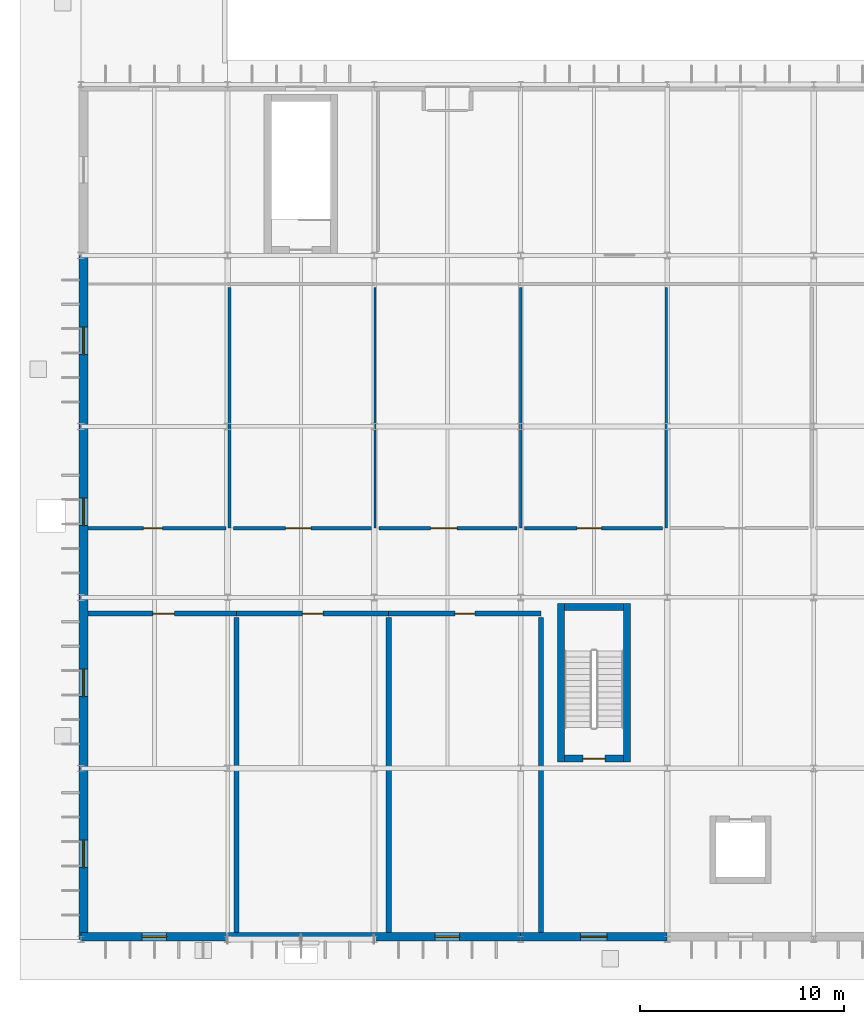
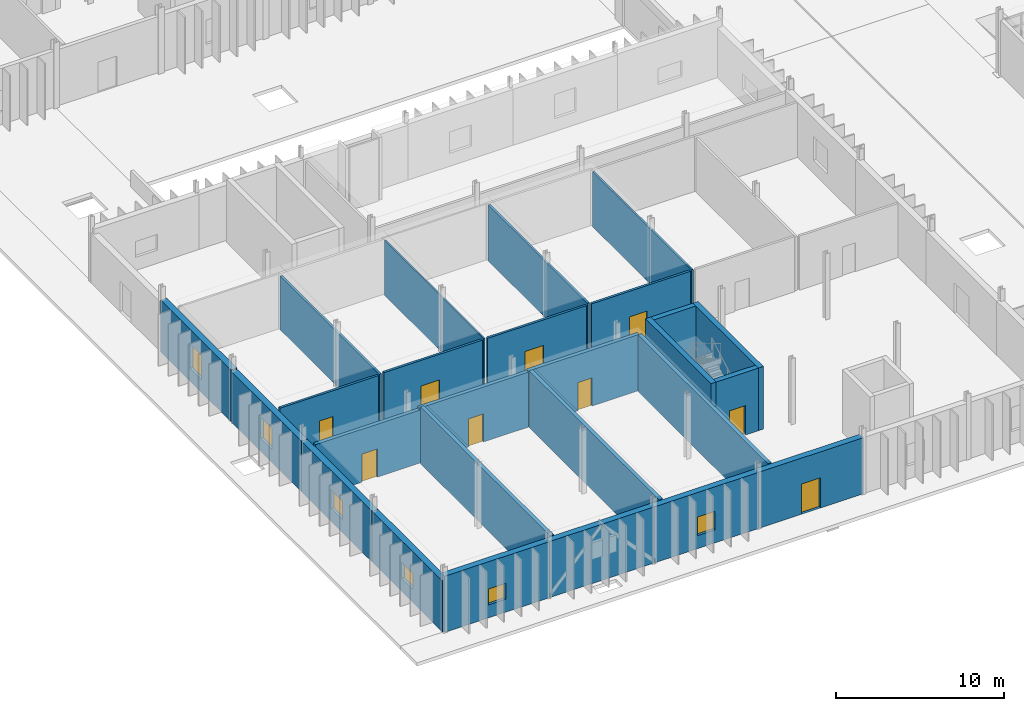
# One storey, part 88 of 118: 26 walls, 9 doors, 6 windows, 15 openings.
"""IFC4 building model written with IfcOpenShell, lengths in metres."""

from ifc_helpers import new_model, si_unit, direction, frame, frame_2d, origin, place, context, subcontext, project, spatial, rectangle, extrude, material, layer, layer_set, type_object, element, fill, save


model = new_model("IFC4")

# Units and contexts
model_context = context("Model", 3, precision=1e-05, world=origin(), true_north=direction((0.0, 1.0)))
body_context = subcontext(model_context, "Body", "Model", "MODEL_VIEW")
ifc_project = project(units=[si_unit("LENGTHUNIT", "METRE"), si_unit("AREAUNIT", "SQUARE_METRE"), si_unit("VOLUMEUNIT", "CUBIC_METRE"), si_unit("PLANEANGLEUNIT", "RADIAN"), si_unit("MASSUNIT", "GRAM", prefix="KILO")], contexts=[model_context])

# Site, building, storey
site_placement = place(None, origin())
site = spatial("IfcSite", under=ifc_project, at=site_placement, CompositionType="ELEMENT")
building_placement = place(site_placement, origin())
building = spatial("IfcBuilding", under=site, at=building_placement, Name="Qelthora Terrace Specialist Clinic", CompositionType="ELEMENT")
storey_placement = place(building_placement, origin())
storey = spatial("IfcBuildingStorey", under=building, at=storey_placement, Name="L00", CompositionType="ELEMENT", Elevation=0.0)

# Walls
ifc_material_1 = material(Name="Concrete C40/50", Category="concrete")
ifc_layer_1 = layer(ifc_material_1, 0.35009765625)
ifc_layer_set_1 = layer_set([ifc_layer_1], Name="Concrete C40/50")
wall_type_1 = type_object("IfcWallType", Name="WAL-CORE-350-C40", PredefinedType="SHEAR", material=ifc_layer_set_1)
for number, where, z_axis, x_axis, name in (
    (1, (23.574951171875, 8.699951171875, 0.0), (0.0, 0.0, 1.0), (0.0, 1.0, 0.0), "ST-03 L00 west shear core wall"),
    (2, (26.824951171875, 8.699951171875, 0.0), (0.0, 0.0, 1.0), (0.0, 1.0, 0.0), "ST-03 L00 east shear core wall"),
):
    element("IfcWall", number, at=place(storey_placement, frame(where, z_axis=z_axis, x_axis=x_axis)), inside=storey, type_object=wall_type_1, Name=name, PredefinedType="SHEAR", context=body_context, shape_type="SweptSolid", body=[
        extrude(rectangle(XDim=7.800048828125, YDim=0.35009765625, at=frame_2d((3.89990234375, 0.0))), origin(), (0.0, 0.0, 1.0), 4.56005859375),
    ])
wall_1_placement = place(storey_placement, frame((23.75, 16.324951171875, 0.0), z_axis=(0.0, 0.0, 1.0), x_axis=(1.0, 0.0, 0.0)))
element("IfcWall", 3, at=wall_1_placement, inside=storey, type_object=wall_type_1, Name="ST-03 L00 north shear core wall", PredefinedType="SHEAR", context=body_context, shape_type="SweptSolid", body=[
    extrude(rectangle(XDim=2.89990234375, YDim=0.35009765625, at=frame_2d((1.449951171875, 0.0))), origin(), (0.0, 0.0, 1.0), 4.56005859375),
])

# Wall, opening, door
wall_2_placement = place(storey_placement, frame((23.75, 8.875, 0.0), z_axis=(0.0, 0.0, 1.0), x_axis=(1.0, 0.0, 0.0)))
wall_2 = element("IfcWall", 4, at=wall_2_placement, inside=storey, type_object=wall_type_1, Name="ST-03 L00 south shear core wall", PredefinedType="SHEAR", context=body_context, shape_type="SweptSolid", body=[
    extrude(rectangle(XDim=2.89990234375, YDim=0.35009765625, at=frame_2d((1.449951171875, 0.0))), origin(), (0.0, 0.0, 1.0), 4.56005859375),
])
opening_1_placement = place(wall_2_placement, frame((0.89990234375, 0.0, 0.0)))
opening_1 = element("IfcOpeningElement", 5, at=opening_1_placement, cuts=wall_2, Name="Opening D-ST-03-L00", PredefinedType="OPENING", context=body_context, shape_type="SweptSolid", body=[
    extrude(rectangle(XDim=1.10009765625, YDim=2.14990234375, at=frame_2d((0.550048828125, 1.074951171875))), frame((0.0, 0.18505859375, 0.0), z_axis=(0.0, -1.0, 0.0), x_axis=(1.0, 0.0, 0.0)), (0.0, 0.0, 1.0), 0.3701171875),
])
ifc_material_2 = material(Name="Steel S355", Category="steel")
door_type_1 = type_object("IfcDoorType", Name="DOR-STAIR-1100X2150", OperationType="NOTDEFINED", PredefinedType="DOOR", material=ifc_material_2)
door_1_placement = place(opening_1_placement, frame((1.10009765625, 0.0, 0.0), z_axis=(0.0, 0.0, 1.0), x_axis=(-1.0, 0.0, 0.0)))
door_1 = element("IfcDoor", 6, at=door_1_placement, inside=storey, type_object=door_type_1, Name="Stair fire door D-ST-03-L00", OperationType="SINGLE_SWING_LEFT", OverallHeight=2.14990234375, OverallWidth=1.10009765625, PredefinedType="DOOR", context=body_context, shape_type="SweptSolid", body=[
    extrude(rectangle(XDim=1.10009765625, YDim=2.14990234375, at=frame_2d((0.550048828125, 1.074951171875))), frame((0.0, 0.02490234375, 0.0), z_axis=(0.0, -1.0, 0.0), x_axis=(1.0, 0.0, 0.0)), (0.0, 0.0, 1.0), 0.050048828125),
])
fill(opening_1, door_1)

# Wall
ifc_material_3 = material(Name="Gypsum acoustic wallboard", Category="gypsum")
ifc_layer_2 = layer(ifc_material_3, 0.139892578125)
ifc_layer_set_2 = layer_set([ifc_layer_2], Name="Gypsum acoustic wallboard")
wall_type_2 = type_object("IfcWallType", Name="WAL-INT-ACU-140", PredefinedType="PARTITIONING", material=ifc_layer_set_2)
wall_3_placement = place(storey_placement, frame((21.60009765625, 32.02001953125, 0.0), z_axis=(0.0, 0.0, 1.0), x_axis=(0.0, -1.0, 0.0)))
element("IfcWall", 7, at=wall_3_placement, inside=storey, type_object=wall_type_2, Name="Interior clinical partition IWAL-L00-0054", PredefinedType="PARTITIONING", context=body_context, shape_type="SweptSolid", body=[
    extrude(rectangle(XDim=11.820068359375, YDim=0.139892578125, at=frame_2d((5.91015625, 0.0))), origin(), (0.0, 0.0, 1.0), 4.0849609375),
])

# Wall, opening, door
ifc_material_4 = material(Name="Gypsum fire-rated wallboard", Category="gypsum")
ifc_layer_3 = layer(ifc_material_4, 0.159912109375)
ifc_layer_set_3 = layer_set([ifc_layer_3], Name="Gypsum fire-rated wallboard")
wall_type_3 = type_object("IfcWallType", Name="WAL-INT-COR-160", PredefinedType="PARTITIONING", material=ifc_layer_set_3)
wall_4_placement = place(storey_placement, frame((7.1201171875, 20.199951171875, 0.0), z_axis=(0.0, 0.0, 1.0), x_axis=(-1.0, 0.0, 0.0)))
wall_4 = element("IfcWall", 8, at=wall_4_placement, inside=storey, type_object=wall_type_3, Name="Interior clinical partition IWAL-L00-0049", PredefinedType="PARTITIONING", context=body_context, shape_type="SweptSolid", body=[
    extrude(rectangle(XDim=6.780029296875, YDim=0.159912109375, at=frame_2d((3.39013671875, 0.0))), origin(), (0.0, 0.0, 1.0), 3.927978515625),
])
opening_2_placement = place(wall_4_placement, frame((3.1201171875, 0.0, 0.0)))
opening_2 = element("IfcOpeningElement", 9, at=opening_2_placement, cuts=wall_4, Name="Opening DI-L00-0020", PredefinedType="OPENING", context=body_context, shape_type="SweptSolid", body=[
    extrude(rectangle(XDim=0.93994140625, YDim=2.050048828125, at=frame_2d((0.469970703125, 1.02490234375))), frame((0.0, 0.08984375, 0.0), z_axis=(0.0, -1.0, 0.0), x_axis=(1.0, 0.0, 0.0)), (0.0, 0.0, 1.0), 0.179931640625),
])
ifc_material_5 = material(Name="Glulam timber GL28h", Category="wood")
door_type_2 = type_object("IfcDoorType", Name="DOR-CON-940X2050", OperationType="NOTDEFINED", PredefinedType="DOOR", material=ifc_material_5)
door_2_placement = place(opening_2_placement, frame((0.93994140625, 0.0, 0.0), z_axis=(0.0, 0.0, 1.0), x_axis=(-1.0, 0.0, 0.0)))
door_2 = element("IfcDoor", 10, at=door_2_placement, inside=storey, type_object=door_type_2, Name="Interior clinical door DI-L00-0020", OperationType="SINGLE_SWING_LEFT", OverallHeight=2.050048828125, OverallWidth=0.93994140625, PredefinedType="DOOR", context=body_context, shape_type="SweptSolid", body=[
    extrude(rectangle(XDim=0.93994140625, YDim=2.050048828125, at=frame_2d((0.469970703125, 1.02490234375))), frame((0.0, 0.02490234375, 0.0), z_axis=(0.0, -1.0, 0.0), x_axis=(1.0, 0.0, 0.0)), (0.0, 0.0, 1.0), 0.050048828125),
])
fill(opening_2, door_2)

wall_5_placement = place(storey_placement, frame((14.27001953125, 20.199951171875, 0.0), z_axis=(0.0, 0.0, 1.0), x_axis=(-1.0, 0.0, 0.0)))
wall_5 = element("IfcWall", 11, at=wall_5_placement, inside=storey, type_object=wall_type_3, Name="Interior clinical partition IWAL-L00-0052", PredefinedType="PARTITIONING", context=body_context, shape_type="SweptSolid", body=[
    extrude(rectangle(XDim=6.7900390625, YDim=0.159912109375, at=frame_2d((3.39501953125, 0.0))), origin(), (0.0, 0.0, 1.0), 4.008056640625),
])
opening_3_placement = place(wall_5_placement, frame((2.969970703125, 0.0, 0.0)))
opening_3 = element("IfcOpeningElement", 12, at=opening_3_placement, cuts=wall_5, Name="Opening DI-L00-0021", PredefinedType="OPENING", context=body_context, shape_type="SweptSolid", body=[
    extrude(rectangle(XDim=1.25, YDim=2.14990234375, at=frame_2d((0.625, 1.074951171875))), frame((0.0, 0.08984375, 0.0), z_axis=(0.0, -1.0, 0.0), x_axis=(1.0, 0.0, 0.0)), (0.0, 0.0, 1.0), 0.179931640625),
])
door_type_3 = type_object("IfcDoorType", Name="DOR-INF-1250X2150", OperationType="NOTDEFINED", PredefinedType="DOOR", material=ifc_material_5)
door_3_placement = place(opening_3_placement, frame((1.25, 0.0, 0.0), z_axis=(0.0, 0.0, 1.0), x_axis=(-1.0, 0.0, 0.0)))
door_3 = element("IfcDoor", 13, at=door_3_placement, inside=storey, type_object=door_type_3, Name="Interior clinical door DI-L00-0021", OperationType="SINGLE_SWING_RIGHT", OverallHeight=2.14990234375, OverallWidth=1.25, PredefinedType="DOOR", context=body_context, shape_type="SweptSolid", body=[
    extrude(rectangle(XDim=1.25, YDim=2.14990234375, at=frame_2d((0.625, 1.074951171875))), frame((0.0, 0.02490234375, 0.0), z_axis=(0.0, -1.0, 0.0), x_axis=(1.0, 0.0, 0.0)), (0.0, 0.0, 1.0), 0.050048828125),
])
fill(opening_3, door_3)

wall_6_placement = place(storey_placement, frame((21.419921875, 20.199951171875, 0.0), z_axis=(0.0, 0.0, 1.0), x_axis=(-1.0, 0.0, 0.0)))
wall_6 = element("IfcWall", 14, at=wall_6_placement, inside=storey, type_object=wall_type_3, Name="Interior clinical partition IWAL-L00-0055", PredefinedType="PARTITIONING", context=body_context, shape_type="SweptSolid", body=[
    extrude(rectangle(XDim=6.7900390625, YDim=0.159912109375, at=frame_2d((3.39501953125, 0.0))), origin(), (0.0, 0.0, 1.0), 4.008056640625),
])
opening_4_placement = place(wall_6_placement, frame((2.945068359375, 0.0, 0.0)))
opening_4 = element("IfcOpeningElement", 15, at=opening_4_placement, cuts=wall_6, Name="Opening DI-L00-0022", PredefinedType="OPENING", context=body_context, shape_type="SweptSolid", body=[
    extrude(rectangle(XDim=1.300048828125, YDim=2.14990234375, at=frame_2d((0.64990234375, 1.074951171875))), frame((0.0, 0.08984375, 0.0), z_axis=(0.0, -1.0, 0.0), x_axis=(1.0, 0.0, 0.0)), (0.0, 0.0, 1.0), 0.179931640625),
])
door_type_4 = type_object("IfcDoorType", Name="DOR-REC-1300X2150", OperationType="NOTDEFINED", PredefinedType="DOOR", material=ifc_material_5)
door_4_placement = place(opening_4_placement, frame((1.300048828125, 0.0, 0.0), z_axis=(0.0, 0.0, 1.0), x_axis=(-1.0, 0.0, 0.0)))
door_4 = element("IfcDoor", 16, at=door_4_placement, inside=storey, type_object=door_type_4, Name="Interior clinical door DI-L00-0022", OperationType="SINGLE_SWING_LEFT", OverallHeight=2.14990234375, OverallWidth=1.300048828125, PredefinedType="DOOR", context=body_context, shape_type="SweptSolid", body=[
    extrude(rectangle(XDim=1.300048828125, YDim=2.14990234375, at=frame_2d((0.64990234375, 1.074951171875))), frame((0.0, 0.02490234375, 0.0), z_axis=(0.0, -1.0, 0.0), x_axis=(1.0, 0.0, 0.0)), (0.0, 0.0, 1.0), 0.050048828125),
])
fill(opening_4, door_4)

wall_7_placement = place(storey_placement, frame((28.570068359375, 20.199951171875, 0.0), z_axis=(0.0, 0.0, 1.0), x_axis=(-1.0, 0.0, 0.0)))
wall_7 = element("IfcWall", 17, at=wall_7_placement, inside=storey, type_object=wall_type_3, Name="Interior clinical partition IWAL-L00-0058", PredefinedType="PARTITIONING", context=body_context, shape_type="SweptSolid", body=[
    extrude(rectangle(XDim=6.7900390625, YDim=0.159912109375, at=frame_2d((3.39501953125, 0.0))), origin(), (0.0, 0.0, 1.0), 4.008056640625),
])
opening_5_placement = place(wall_7_placement, frame((2.9951171875, 0.0, 0.0)))
opening_5 = element("IfcOpeningElement", 18, at=opening_5_placement, cuts=wall_7, Name="Opening DI-L00-0023", PredefinedType="OPENING", context=body_context, shape_type="SweptSolid", body=[
    extrude(rectangle(XDim=1.199951171875, YDim=2.14990234375, at=frame_2d((0.60009765625, 1.074951171875))), frame((0.0, 0.08984375, 0.0), z_axis=(0.0, -1.0, 0.0), x_axis=(1.0, 0.0, 0.0)), (0.0, 0.0, 1.0), 0.179931640625),
])
door_type_5 = type_object("IfcDoorType", Name="DOR-LAB-1200X2150", OperationType="NOTDEFINED", PredefinedType="DOOR", material=ifc_material_2)
door_5_placement = place(opening_5_placement, frame((1.199951171875, 0.0, 0.0), z_axis=(0.0, 0.0, 1.0), x_axis=(-1.0, 0.0, 0.0)))
door_5 = element("IfcDoor", 19, at=door_5_placement, inside=storey, type_object=door_type_5, Name="Interior clinical door DI-L00-0023", OperationType="SINGLE_SWING_RIGHT", OverallHeight=2.14990234375, OverallWidth=1.199951171875, PredefinedType="DOOR", context=body_context, shape_type="SweptSolid", body=[
    extrude(rectangle(XDim=1.199951171875, YDim=2.14990234375, at=frame_2d((0.60009765625, 1.074951171875))), frame((0.0, 0.02490234375, 0.0), z_axis=(0.0, -1.0, 0.0), x_axis=(1.0, 0.0, 0.0)), (0.0, 0.0, 1.0), 0.050048828125),
])
fill(opening_5, door_5)

# Wall
ifc_layer_4 = layer(ifc_material_3, 0.10009765625)
ifc_layer_set_4 = layer_set([ifc_layer_4], Name="Gypsum acoustic wallboard")
wall_type_4 = type_object("IfcWallType", Name="WAL-INT-LGT-100", PredefinedType="PARTITIONING", material=ifc_layer_set_4)
wall_8_placement = place(storey_placement, frame((14.449951171875, 32.02001953125, 0.0), z_axis=(0.0, 0.0, 1.0), x_axis=(0.0, -1.0, 0.0)))
element("IfcWall", 20, at=wall_8_placement, inside=storey, type_object=wall_type_4, Name="Interior clinical partition IWAL-L00-0051", PredefinedType="PARTITIONING", context=body_context, shape_type="SweptSolid", body=[
    extrude(rectangle(XDim=11.820068359375, YDim=0.10009765625, at=frame_2d((5.91015625, 0.0))), origin(), (0.0, 0.0, 1.0), 4.008056640625),
])

# Wall, opening, door
ifc_material_6 = material(Name="Concrete C30/37", Category="concrete")
ifc_layer_5 = layer(ifc_material_6, 0.25)
ifc_layer_set_5 = layer_set([ifc_layer_5], Name="Concrete C30/37")
wall_type_5 = type_object("IfcWallType", Name="WAL-INT-RAD-250", PredefinedType="SOLIDWALL", material=ifc_layer_set_5)
wall_9_placement = place(storey_placement, frame((0.340087890625, 16.0, 0.0), z_axis=(0.0, 0.0, 1.0), x_axis=(1.0, 0.0, 0.0)))
wall_9 = element("IfcWall", 21, at=wall_9_placement, inside=storey, type_object=wall_type_5, Name="Interior clinical partition IWAL-L00-0041", PredefinedType="SOLIDWALL", context=body_context, shape_type="SweptSolid", body=[
    extrude(rectangle(XDim=7.293212890625, YDim=0.25, at=frame_2d((3.646484375, 0.0))), origin(), (0.0, 0.0, 1.0), 3.85205078125),
])
opening_6_placement = place(wall_9_placement, frame((3.1865234375, 0.0, 0.0)))
opening_6 = element("IfcOpeningElement", 22, at=opening_6_placement, cuts=wall_9, Name="Opening DI-L00-0017", PredefinedType="OPENING", context=body_context, shape_type="SweptSolid", body=[
    extrude(rectangle(XDim=1.06005859375, YDim=2.050048828125, at=frame_2d((0.530029296875, 1.02490234375))), frame((0.0, 0.135009765625, 0.0), z_axis=(0.0, -1.0, 0.0), x_axis=(1.0, 0.0, 0.0)), (0.0, 0.0, 1.0), 0.27001953125),
])
door_type_6 = type_object("IfcDoorType", Name="DOR-CON-1060X2050", OperationType="NOTDEFINED", PredefinedType="DOOR", material=ifc_material_5)
door_6_placement = place(opening_6_placement, frame((1.06005859375, 0.0, 0.0), z_axis=(0.0, 0.0, 1.0), x_axis=(-1.0, 0.0, 0.0)))
door_6 = element("IfcDoor", 23, at=door_6_placement, inside=storey, type_object=door_type_6, Name="Interior clinical door DI-L00-0017", OperationType="SINGLE_SWING_RIGHT", OverallHeight=2.050048828125, OverallWidth=1.06005859375, PredefinedType="DOOR", context=body_context, shape_type="SweptSolid", body=[
    extrude(rectangle(XDim=1.06005859375, YDim=2.050048828125, at=frame_2d((0.530029296875, 1.02490234375))), frame((0.0, 0.02490234375, 0.0), z_axis=(0.0, -1.0, 0.0), x_axis=(1.0, 0.0, 0.0)), (0.0, 0.0, 1.0), 0.050048828125),
])
fill(opening_6, door_6)

# Wall
wall_10_placement = place(storey_placement, frame((7.63330078125, 15.820068359375, 0.0), z_axis=(0.0, 0.0, 1.0), x_axis=(0.0, -1.0, 0.0)))
element("IfcWall", 24, at=wall_10_placement, inside=storey, type_object=wall_type_5, Name="Interior clinical partition IWAL-L00-0042", PredefinedType="SOLIDWALL", context=body_context, shape_type="SweptSolid", body=[
    extrude(rectangle(XDim=15.47998046875, YDim=0.25, at=frame_2d((7.739990234375, 0.0))), origin(), (0.0, 0.0, 1.0), 4.132080078125),
])

# Wall, opening, door
wall_11_placement = place(storey_placement, frame((7.498291015625, 16.0, 0.0), z_axis=(0.0, 0.0, 1.0), x_axis=(1.0, 0.0, 0.0)))
wall_11 = element("IfcWall", 25, at=wall_11_placement, inside=storey, type_object=wall_type_5, Name="Interior clinical partition IWAL-L00-0043", PredefinedType="SOLIDWALL", context=body_context, shape_type="SweptSolid", body=[
    extrude(rectangle(XDim=7.618408203125, YDim=0.25, at=frame_2d((3.80908203125, 0.0))), origin(), (0.0, 0.0, 1.0), 4.0009765625),
])
opening_7_placement = place(wall_11_placement, frame((3.369140625, 0.0, 0.0)))
opening_7 = element("IfcOpeningElement", 26, at=opening_7_placement, cuts=wall_11, Name="Opening DI-L00-0018", PredefinedType="OPENING", context=body_context, shape_type="SweptSolid", body=[
    extrude(rectangle(XDim=1.02001953125, YDim=2.050048828125, at=frame_2d((0.510009765625, 1.02490234375))), frame((0.0, 0.135009765625, 0.0), z_axis=(0.0, -1.0, 0.0), x_axis=(1.0, 0.0, 0.0)), (0.0, 0.0, 1.0), 0.27001953125),
])
door_type_7 = type_object("IfcDoorType", Name="DOR-CON-1020X2050", OperationType="NOTDEFINED", PredefinedType="DOOR", material=ifc_material_5)
door_7_placement = place(opening_7_placement, frame((1.02001953125, 0.0, 0.0), z_axis=(0.0, 0.0, 1.0), x_axis=(-1.0, 0.0, 0.0)))
door_7 = element("IfcDoor", 27, at=door_7_placement, inside=storey, type_object=door_type_7, Name="Interior clinical door DI-L00-0018", OperationType="SINGLE_SWING_LEFT", OverallHeight=2.050048828125, OverallWidth=1.02001953125, PredefinedType="DOOR", context=body_context, shape_type="SweptSolid", body=[
    extrude(rectangle(XDim=1.02001953125, YDim=2.050048828125, at=frame_2d((0.510009765625, 1.02490234375))), frame((0.0, 0.02490234375, 0.0), z_axis=(0.0, -1.0, 0.0), x_axis=(1.0, 0.0, 0.0)), (0.0, 0.0, 1.0), 0.050048828125),
])
fill(opening_7, door_7)

# Wall
wall_12_placement = place(storey_placement, frame((15.11669921875, 15.820068359375, 0.0), z_axis=(0.0, 0.0, 1.0), x_axis=(0.0, -1.0, 0.0)))
element("IfcWall", 28, at=wall_12_placement, inside=storey, type_object=wall_type_5, Name="Interior clinical partition IWAL-L00-0044", PredefinedType="SOLIDWALL", context=body_context, shape_type="SweptSolid", body=[
    extrude(rectangle(XDim=15.47998046875, YDim=0.25, at=frame_2d((7.739990234375, 0.0))), origin(), (0.0, 0.0, 1.0), 4.135009765625),
])

# Wall, opening, door
wall_13_placement = place(storey_placement, frame((14.981689453125, 16.0, 0.0), z_axis=(0.0, 0.0, 1.0), x_axis=(1.0, 0.0, 0.0)))
wall_13 = element("IfcWall", 29, at=wall_13_placement, inside=storey, type_object=wall_type_5, Name="Interior clinical partition IWAL-L00-0045", PredefinedType="SOLIDWALL", context=body_context, shape_type="SweptSolid", body=[
    extrude(rectangle(XDim=7.618408203125, YDim=0.25, at=frame_2d((3.80908203125, 0.0))), origin(), (0.0, 0.0, 1.0), 4.0791015625),
])
opening_8_placement = place(wall_13_placement, frame((3.38916015625, 0.0, 0.0)))
opening_8 = element("IfcOpeningElement", 30, at=opening_8_placement, cuts=wall_13, Name="Opening DI-L00-0019", PredefinedType="OPENING", context=body_context, shape_type="SweptSolid", body=[
    extrude(rectangle(XDim=0.97998046875, YDim=2.050048828125, at=frame_2d((0.489990234375, 1.02490234375))), frame((0.0, 0.135009765625, 0.0), z_axis=(0.0, -1.0, 0.0), x_axis=(1.0, 0.0, 0.0)), (0.0, 0.0, 1.0), 0.27001953125),
])
door_type_8 = type_object("IfcDoorType", Name="DOR-CON-980X2050", OperationType="NOTDEFINED", PredefinedType="DOOR", material=ifc_material_5)
door_8_placement = place(opening_8_placement, frame((0.97998046875, 0.0, 0.0), z_axis=(0.0, 0.0, 1.0), x_axis=(-1.0, 0.0, 0.0)))
door_8 = element("IfcDoor", 31, at=door_8_placement, inside=storey, type_object=door_type_8, Name="Interior clinical door DI-L00-0019", OperationType="SINGLE_SWING_RIGHT", OverallHeight=2.050048828125, OverallWidth=0.97998046875, PredefinedType="DOOR", context=body_context, shape_type="SweptSolid", body=[
    extrude(rectangle(XDim=0.97998046875, YDim=2.050048828125, at=frame_2d((0.489990234375, 1.02490234375))), frame((0.0, 0.02490234375, 0.0), z_axis=(0.0, -1.0, 0.0), x_axis=(1.0, 0.0, 0.0)), (0.0, 0.0, 1.0), 0.050048828125),
])
fill(opening_8, door_8)

# Walls
wall_14_placement = place(storey_placement, frame((22.60009765625, 15.820068359375, 0.0), z_axis=(0.0, 0.0, 1.0), x_axis=(0.0, -1.0, 0.0)))
element("IfcWall", 32, at=wall_14_placement, inside=storey, type_object=wall_type_5, Name="Interior clinical partition IWAL-L00-0046", PredefinedType="SOLIDWALL", context=body_context, shape_type="SweptSolid", body=[
    extrude(rectangle(XDim=15.47998046875, YDim=0.25, at=frame_2d((7.739990234375, 0.0))), origin(), (0.0, 0.0, 1.0), 4.132080078125),
])
ifc_layer_6 = layer(ifc_material_3, 0.1201171875)
ifc_layer_set_6 = layer_set([ifc_layer_6], Name="Gypsum acoustic wallboard")
wall_type_6 = type_object("IfcWallType", Name="WAL-INT-STD-120", PredefinedType="PARTITIONING", material=ifc_layer_set_6)
wall_15_placement = place(storey_placement, frame((28.75, 32.02001953125, 0.0), z_axis=(0.0, 0.0, 1.0), x_axis=(0.0, -1.0, 0.0)))
element("IfcWall", 33, at=wall_15_placement, inside=storey, type_object=wall_type_6, Name="Interior clinical partition IWAL-L00-0057", PredefinedType="PARTITIONING", context=body_context, shape_type="SweptSolid", body=[
    extrude(rectangle(XDim=11.820068359375, YDim=0.1201171875, at=frame_2d((5.91015625, 0.0))), origin(), (0.0, 0.0, 1.0), 4.008056640625),
])
ifc_material_7 = material(Name="Gypsum moisture-resistant", Category="gypsum")
ifc_layer_7 = layer(ifc_material_7, 0.14990234375)
ifc_layer_set_7 = layer_set([ifc_layer_7], Name="Gypsum moisture-resistant")
wall_type_7 = type_object("IfcWallType", Name="WAL-INT-WET-150", PredefinedType="PLUMBINGWALL", material=ifc_layer_set_7)
wall_16_placement = place(storey_placement, frame((7.300048828125, 32.02001953125, 0.0), z_axis=(0.0, 0.0, 1.0), x_axis=(0.0, -1.0, 0.0)))
element("IfcWall", 34, at=wall_16_placement, inside=storey, type_object=wall_type_7, Name="Interior clinical partition IWAL-L00-0048", PredefinedType="PLUMBINGWALL", context=body_context, shape_type="SweptSolid", body=[
    extrude(rectangle(XDim=11.820068359375, YDim=0.14990234375, at=frame_2d((5.91015625, 0.0))), origin(), (0.0, 0.0, 1.0), 3.927978515625),
])

# Wall, opening, window
ifc_material_8 = material(Name="Precast concrete C40/50", Category="concrete")
ifc_layer_8 = layer(ifc_material_8, 0.419921875)
ifc_layer_set_8 = layer_set([ifc_layer_8], Name="Precast concrete C40/50")
wall_type_8 = type_object("IfcWallType", Name="WAL-MRI-420-PC40", PredefinedType="SOLIDWALL", material=ifc_layer_set_8)
wall_17_placement = place(storey_placement, frame((0.0, 0.1201171875, 0.0), z_axis=(0.0, 0.0, 1.0), x_axis=(1.0, 0.0, 0.0)))
wall_17 = element("IfcWall", 35, at=wall_17_placement, inside=storey, type_object=wall_type_8, Name="L00 external precast wall 90", PredefinedType="SOLIDWALL", context=body_context, shape_type="SweptSolid", body=[
    extrude(rectangle(XDim=7.199951171875, YDim=0.419921875, at=frame_2d((3.60009765625, 0.0))), origin(), (0.0, 0.0, 1.0), 4.08203125),
])
opening_9_placement = place(wall_17_placement, frame((3.0, 0.0, 0.949951171875)))
opening_9 = element("IfcOpeningElement", 36, at=opening_9_placement, cuts=wall_17, Name="Opening WN-L00-069", PredefinedType="OPENING", context=body_context, shape_type="SweptSolid", body=[
    extrude(rectangle(XDim=1.199951171875, YDim=1.14990234375, at=frame_2d((0.60009765625, 0.574951171875))), frame((0.0, 0.219970703125, 0.0), z_axis=(0.0, -1.0, 0.0), x_axis=(1.0, 0.0, 0.0)), (0.0, 0.0, 1.0), 0.43994140625),
])
ifc_material_9 = material(Name="Low-E triple-silver insulating glass", Category="glass")
window_type_1 = type_object("IfcWindowType", Name="WIN-1200X1150", PartitioningType="SINGLE_PANEL", PredefinedType="WINDOW", material=ifc_material_9)
window_1_placement = place(opening_9_placement, origin())
window_1 = element("IfcWindow", 37, at=window_1_placement, inside=storey, type_object=window_type_1, Name="Clinical window WN-L00-069", OverallHeight=1.14990234375, OverallWidth=1.199951171875, PartitioningType="SINGLE_PANEL", PredefinedType="WINDOW", context=body_context, shape_type="SweptSolid", body=[
    extrude(rectangle(XDim=1.199951171875, YDim=1.14990234375, at=frame_2d((0.60009765625, 0.574951171875))), frame((0.0, 0.030029296875, 0.0), z_axis=(0.0, -1.0, 0.0), x_axis=(1.0, 0.0, 0.0)), (0.0, 0.0, 1.0), 0.06005859375),
])
fill(opening_9, window_1)

# Wall
wall_18_placement = place(storey_placement, frame((7.199951171875, 0.1201171875, 0.0), z_axis=(0.0, 0.0, 1.0), x_axis=(1.0, 0.0, 0.0)))
element("IfcWall", 38, at=wall_18_placement, inside=storey, type_object=wall_type_8, Name="L00 external precast wall 91", PredefinedType="SOLIDWALL", context=body_context, shape_type="SweptSolid", body=[
    extrude(rectangle(XDim=7.199951171875, YDim=0.419921875, at=frame_2d((3.60009765625, 0.0))), origin(), (0.0, 0.0, 1.0), 4.08203125),
])

# Wall, opening, window
wall_19_placement = place(storey_placement, frame((14.39990234375, 0.1201171875, 0.0), z_axis=(0.0, 0.0, 1.0), x_axis=(1.0, 0.0, 0.0)))
wall_19 = element("IfcWall", 39, at=wall_19_placement, inside=storey, type_object=wall_type_8, Name="L00 external precast wall 92", PredefinedType="SOLIDWALL", context=body_context, shape_type="SweptSolid", body=[
    extrude(rectangle(XDim=7.2001953125, YDim=0.419921875, at=frame_2d((3.60009765625, 0.0))), origin(), (0.0, 0.0, 1.0), 4.08203125),
])
opening_10_placement = place(wall_19_placement, frame((3.0, 0.0, 0.949951171875)))
opening_10 = element("IfcOpeningElement", 40, at=opening_10_placement, cuts=wall_19, Name="Opening WN-L00-070", PredefinedType="OPENING", context=body_context, shape_type="SweptSolid", body=[
    extrude(rectangle(XDim=1.199951171875, YDim=1.35009765625, at=frame_2d((0.60009765625, 0.675048828125))), frame((0.0, 0.219970703125, 0.0), z_axis=(0.0, -1.0, 0.0), x_axis=(1.0, 0.0, 0.0)), (0.0, 0.0, 1.0), 0.43994140625),
])
window_type_2 = type_object("IfcWindowType", Name="WIN-1200X1350", PartitioningType="SINGLE_PANEL", PredefinedType="WINDOW", material=ifc_material_9)
window_2_placement = place(opening_10_placement, origin())
window_2 = element("IfcWindow", 41, at=window_2_placement, inside=storey, type_object=window_type_2, Name="Clinical window WN-L00-070", OverallHeight=1.35009765625, OverallWidth=1.199951171875, PartitioningType="SINGLE_PANEL", PredefinedType="WINDOW", context=body_context, shape_type="SweptSolid", body=[
    extrude(rectangle(XDim=1.199951171875, YDim=1.35009765625, at=frame_2d((0.60009765625, 0.675048828125))), frame((0.0, 0.030029296875, 0.0), z_axis=(0.0, -1.0, 0.0), x_axis=(1.0, 0.0, 0.0)), (0.0, 0.0, 1.0), 0.06005859375),
])
fill(opening_10, window_2)

# Wall, opening, door
wall_20_placement = place(storey_placement, frame((21.60009765625, 0.1201171875, 0.0), z_axis=(0.0, 0.0, 1.0), x_axis=(1.0, 0.0, 0.0)))
wall_20 = element("IfcWall", 42, at=wall_20_placement, inside=storey, type_object=wall_type_8, Name="L00 external precast wall 93", PredefinedType="SOLIDWALL", context=body_context, shape_type="SweptSolid", body=[
    extrude(rectangle(XDim=7.199951171875, YDim=0.419921875, at=frame_2d((3.60009765625, 0.0))), origin(), (0.0, 0.0, 1.0), 4.08203125),
])
opening_11_placement = place(wall_20_placement, frame((2.949951171875, 0.0, 0.0)))
opening_11 = element("IfcOpeningElement", 43, at=opening_11_placement, cuts=wall_20, Name="Opening DE-ST03-EXIT", PredefinedType="OPENING", context=body_context, shape_type="SweptSolid", body=[
    extrude(rectangle(XDim=1.300048828125, YDim=2.199951171875, at=frame_2d((0.64990234375, 1.10009765625))), frame((0.0, 0.219970703125, 0.0), z_axis=(0.0, -1.0, 0.0), x_axis=(1.0, 0.0, 0.0)), (0.0, 0.0, 1.0), 0.43994140625),
])
door_type_9 = type_object("IfcDoorType", Name="DOR-EXT-1300X2200", OperationType="NOTDEFINED", PredefinedType="DOOR", material=ifc_material_2)
door_9_placement = place(opening_11_placement, frame((1.300048828125, 0.0, 0.0), z_axis=(0.0, 0.0, 1.0), x_axis=(-1.0, 0.0, 0.0)))
door_9 = element("IfcDoor", 44, at=door_9_placement, inside=storey, type_object=door_type_9, Name="Exterior entrance/exit door DE-ST03-EXIT", OperationType="SINGLE_SWING_LEFT", OverallHeight=2.199951171875, OverallWidth=1.300048828125, PredefinedType="DOOR", context=body_context, shape_type="SweptSolid", body=[
    extrude(rectangle(XDim=1.300048828125, YDim=2.199951171875, at=frame_2d((0.64990234375, 1.10009765625))), frame((0.0, 0.02490234375, 0.0), z_axis=(0.0, -1.0, 0.0), x_axis=(1.0, 0.0, 0.0)), (0.0, 0.0, 1.0), 0.050048828125),
])
fill(opening_11, door_9)

# Wall, opening, window
wall_21_placement = place(storey_placement, frame((0.1201171875, 0.0, 0.0), z_axis=(0.0, 0.0, 1.0), x_axis=(0.0, 1.0, 0.0)))
wall_21 = element("IfcWall", 45, at=wall_21_placement, inside=storey, type_object=wall_type_8, Name="L00 external precast wall 96", PredefinedType="SOLIDWALL", context=body_context, shape_type="SweptSolid", body=[
    extrude(rectangle(XDim=8.39990234375, YDim=0.419921875, at=frame_2d((4.199951171875, 0.0))), origin(), (0.0, 0.0, 1.0), 3.69091796875),
])
opening_12_placement = place(wall_21_placement, frame((3.52490234375, 0.0, 0.949951171875)))
opening_12 = element("IfcOpeningElement", 46, at=opening_12_placement, cuts=wall_21, Name="Opening WN-L00-073", PredefinedType="OPENING", context=body_context, shape_type="SweptSolid", body=[
    extrude(rectangle(XDim=1.35009765625, YDim=1.14990234375, at=frame_2d((0.675048828125, 0.574951171875))), frame((0.0, 0.219970703125, 0.0), z_axis=(0.0, -1.0, 0.0), x_axis=(1.0, 0.0, 0.0)), (0.0, 0.0, 1.0), 0.43994140625),
])
window_type_3 = type_object("IfcWindowType", Name="WIN-1350X1150", PartitioningType="SINGLE_PANEL", PredefinedType="WINDOW", material=ifc_material_9)
window_3_placement = place(opening_12_placement, origin())
window_3 = element("IfcWindow", 47, at=window_3_placement, inside=storey, type_object=window_type_3, Name="Clinical window WN-L00-073", OverallHeight=1.14990234375, OverallWidth=1.35009765625, PartitioningType="SINGLE_PANEL", PredefinedType="WINDOW", context=body_context, shape_type="SweptSolid", body=[
    extrude(rectangle(XDim=1.35009765625, YDim=1.14990234375, at=frame_2d((0.675048828125, 0.574951171875))), frame((0.0, 0.030029296875, 0.0), z_axis=(0.0, -1.0, 0.0), x_axis=(1.0, 0.0, 0.0)), (0.0, 0.0, 1.0), 0.06005859375),
])
fill(opening_12, window_3)

wall_22_placement = place(storey_placement, frame((0.1201171875, 8.39990234375, 0.0), z_axis=(0.0, 0.0, 1.0), x_axis=(0.0, 1.0, 0.0)))
wall_22 = element("IfcWall", 48, at=wall_22_placement, inside=storey, type_object=wall_type_8, Name="L00 external precast wall 97", PredefinedType="SOLIDWALL", context=body_context, shape_type="SweptSolid", body=[
    extrude(rectangle(XDim=8.400146484375, YDim=0.419921875, at=frame_2d((4.2001953125, 0.0))), origin(), (0.0, 0.0, 1.0), 3.69091796875),
])
opening_13_placement = place(wall_22_placement, frame((3.52490234375, 0.0, 0.949951171875)))
opening_13 = element("IfcOpeningElement", 49, at=opening_13_placement, cuts=wall_22, Name="Opening WN-L00-074", PredefinedType="OPENING", context=body_context, shape_type="SweptSolid", body=[
    extrude(rectangle(XDim=1.35009765625, YDim=1.35009765625, at=frame_2d((0.675048828125, 0.675048828125))), frame((0.0, 0.219970703125, 0.0), z_axis=(0.0, -1.0, 0.0), x_axis=(1.0, 0.0, 0.0)), (0.0, 0.0, 1.0), 0.43994140625),
])
window_type_4 = type_object("IfcWindowType", Name="WIN-1350X1350", PartitioningType="SINGLE_PANEL", PredefinedType="WINDOW", material=ifc_material_9)
window_4_placement = place(opening_13_placement, origin())
window_4 = element("IfcWindow", 50, at=window_4_placement, inside=storey, type_object=window_type_4, Name="Clinical window WN-L00-074", OverallHeight=1.35009765625, OverallWidth=1.35009765625, PartitioningType="SINGLE_PANEL", PredefinedType="WINDOW", context=body_context, shape_type="SweptSolid", body=[
    extrude(rectangle(XDim=1.35009765625, YDim=1.35009765625, at=frame_2d((0.675048828125, 0.675048828125))), frame((0.0, 0.030029296875, 0.0), z_axis=(0.0, -1.0, 0.0), x_axis=(1.0, 0.0, 0.0)), (0.0, 0.0, 1.0), 0.06005859375),
])
fill(opening_13, window_4)

wall_23_placement = place(storey_placement, frame((0.1201171875, 16.800048828125, 0.0), z_axis=(0.0, 0.0, 1.0), x_axis=(0.0, 1.0, 0.0)))
wall_23 = element("IfcWall", 51, at=wall_23_placement, inside=storey, type_object=wall_type_8, Name="L00 external precast wall 98", PredefinedType="SOLIDWALL", context=body_context, shape_type="SweptSolid", body=[
    extrude(rectangle(XDim=8.39990234375, YDim=0.419921875, at=frame_2d((4.199951171875, 0.0))), origin(), (0.0, 0.0, 1.0), 3.69091796875),
])
opening_14_placement = place(wall_23_placement, frame((3.52490234375, 0.0, 0.949951171875)))
opening_14 = element("IfcOpeningElement", 52, at=opening_14_placement, cuts=wall_23, Name="Opening WN-L00-075", PredefinedType="OPENING", context=body_context, shape_type="SweptSolid", body=[
    extrude(rectangle(XDim=1.35009765625, YDim=1.550048828125, at=frame_2d((0.675048828125, 0.77490234375))), frame((0.0, 0.219970703125, 0.0), z_axis=(0.0, -1.0, 0.0), x_axis=(1.0, 0.0, 0.0)), (0.0, 0.0, 1.0), 0.43994140625),
])
window_type_5 = type_object("IfcWindowType", Name="WIN-1350X1550", PartitioningType="SINGLE_PANEL", PredefinedType="WINDOW", material=ifc_material_9)
window_5_placement = place(opening_14_placement, origin())
window_5 = element("IfcWindow", 53, at=window_5_placement, inside=storey, type_object=window_type_5, Name="Clinical window WN-L00-075", OverallHeight=1.550048828125, OverallWidth=1.35009765625, PartitioningType="SINGLE_PANEL", PredefinedType="WINDOW", context=body_context, shape_type="SweptSolid", body=[
    extrude(rectangle(XDim=1.35009765625, YDim=1.550048828125, at=frame_2d((0.675048828125, 0.77490234375))), frame((0.0, 0.030029296875, 0.0), z_axis=(0.0, -1.0, 0.0), x_axis=(1.0, 0.0, 0.0)), (0.0, 0.0, 1.0), 0.06005859375),
])
fill(opening_14, window_5)

wall_24_placement = place(storey_placement, frame((0.1201171875, 25.199951171875, 0.0), z_axis=(0.0, 0.0, 1.0), x_axis=(0.0, 1.0, 0.0)))
wall_24 = element("IfcWall", 54, at=wall_24_placement, inside=storey, type_object=wall_type_8, Name="L00 external precast wall 99", PredefinedType="SOLIDWALL", context=body_context, shape_type="SweptSolid", body=[
    extrude(rectangle(XDim=8.400146484375, YDim=0.419921875, at=frame_2d((4.2001953125, 0.0))), origin(), (0.0, 0.0, 1.0), 3.77197265625),
])
opening_15_placement = place(wall_24_placement, frame((3.52490234375, 0.0, 0.949951171875)))
opening_15 = element("IfcOpeningElement", 55, at=opening_15_placement, cuts=wall_24, Name="Opening WN-L00-076", PredefinedType="OPENING", context=body_context, shape_type="SweptSolid", body=[
    extrude(rectangle(XDim=1.35009765625, YDim=1.75, at=frame_2d((0.675048828125, 0.875))), frame((0.0, 0.219970703125, 0.0), z_axis=(0.0, -1.0, 0.0), x_axis=(1.0, 0.0, 0.0)), (0.0, 0.0, 1.0), 0.43994140625),
])
window_type_6 = type_object("IfcWindowType", Name="WIN-1350X1750", PartitioningType="SINGLE_PANEL", PredefinedType="WINDOW", material=ifc_material_9)
window_6_placement = place(opening_15_placement, origin())
window_6 = element("IfcWindow", 56, at=window_6_placement, inside=storey, type_object=window_type_6, Name="Clinical window WN-L00-076", OverallHeight=1.75, OverallWidth=1.35009765625, PartitioningType="SINGLE_PANEL", PredefinedType="WINDOW", context=body_context, shape_type="SweptSolid", body=[
    extrude(rectangle(XDim=1.35009765625, YDim=1.75, at=frame_2d((0.675048828125, 0.875))), frame((0.0, 0.030029296875, 0.0), z_axis=(0.0, -1.0, 0.0), x_axis=(1.0, 0.0, 0.0)), (0.0, 0.0, 1.0), 0.06005859375),
])
fill(opening_15, window_6)

save(model, "model.ifc")
